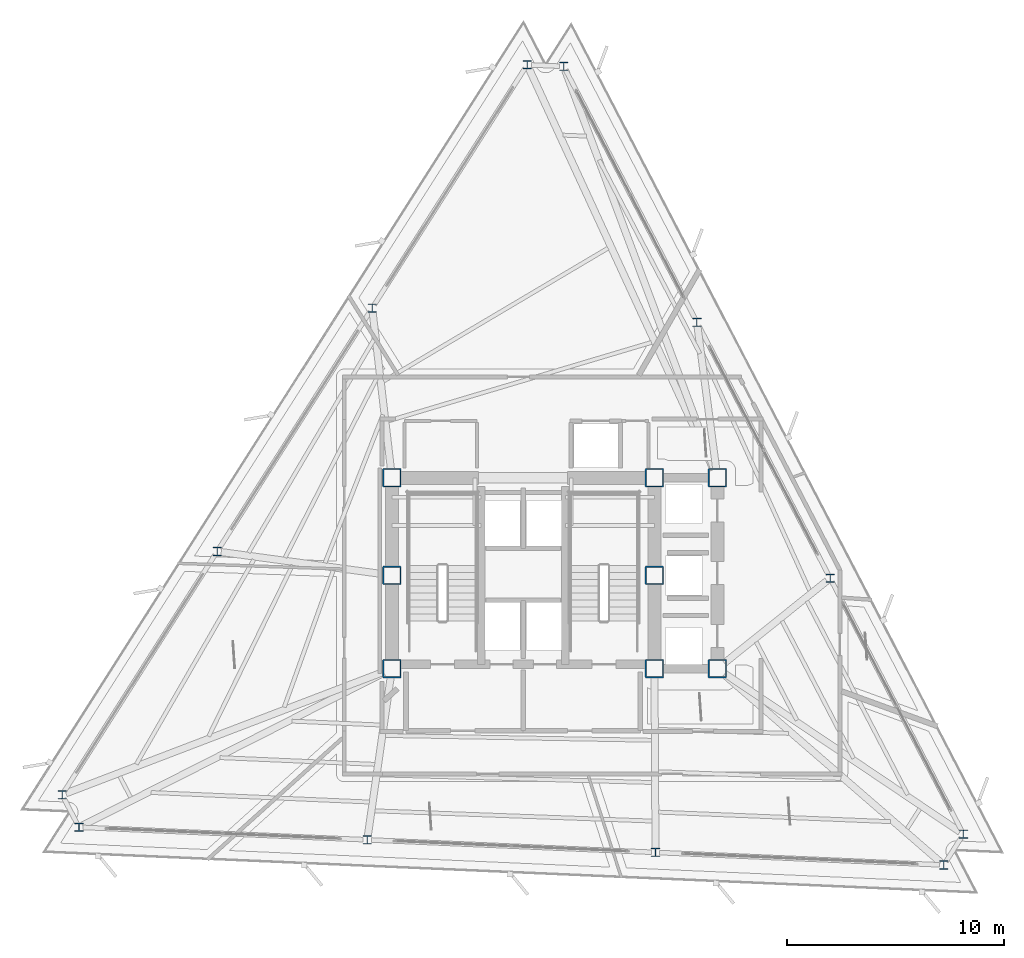
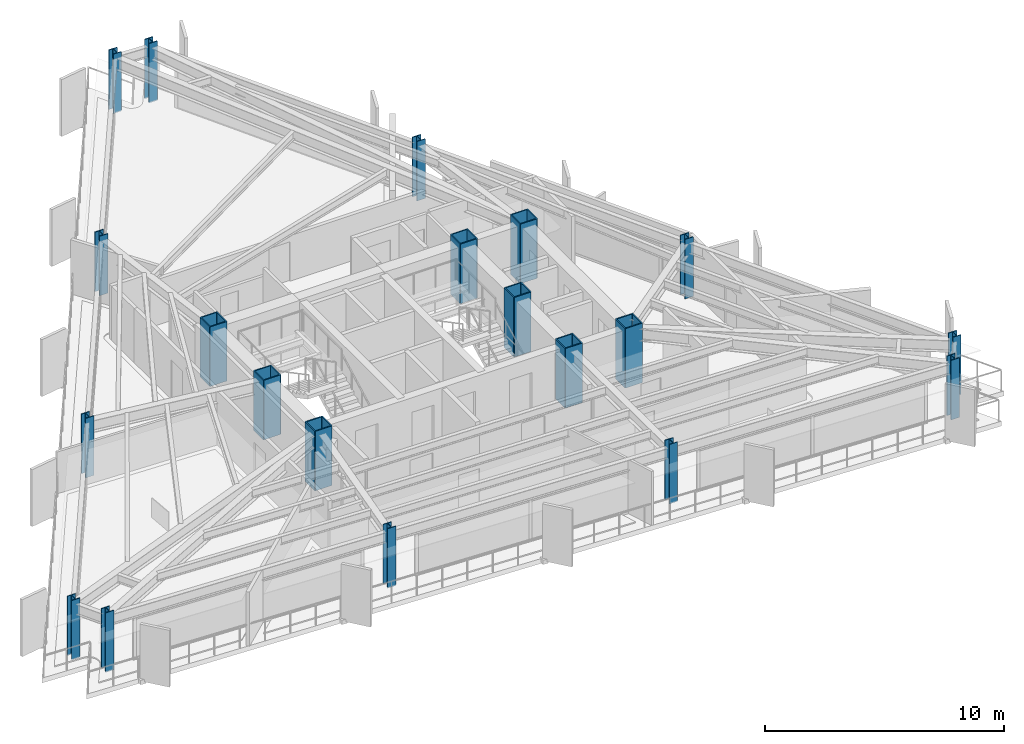
# One storey, part 1 of 12: 20 columns.
"""IFC4 building model written with IfcOpenShell, lengths in metres."""

from ifc_helpers import new_model, si_unit, direction, frame, origin, origin_2d, place, context, subcontext, project, spatial, hollow_rectangle, i_section, extrude, material, material_profile, profile_set, type_object, element, save


model = new_model("IFC4")

# Units and contexts
model_context = context("Model", 3, precision=1e-05, world=origin(), true_north=direction((0.0, 1.0)))
body_context = subcontext(model_context, "Body", "Model", "MODEL_VIEW")
ifc_project = project(units=[si_unit("LENGTHUNIT", "METRE"), si_unit("AREAUNIT", "SQUARE_METRE"), si_unit("VOLUMEUNIT", "CUBIC_METRE"), si_unit("PLANEANGLEUNIT", "RADIAN"), si_unit("MASSUNIT", "GRAM", prefix="KILO")], contexts=[model_context])

# Site, building, storey
site_placement = place(None, origin())
site = spatial("IfcSite", under=ifc_project, at=site_placement, CompositionType="ELEMENT")
building_placement = place(site_placement, origin())
building = spatial("IfcBuilding", under=site, at=building_placement, Name="Rocaltana Carrier Exchange", CompositionType="ELEMENT")
storey_placement = place(building_placement, frame((0.0, 0.0, 138.080078125)))
storey = spatial("IfcBuildingStorey", under=building, at=storey_placement, Name="L43", CompositionType="ELEMENT", Elevation=138.080078125)

# Columns
ifc_material_1 = material(Name="Steel S460", Category="steel")
ifc_material_profile_1 = material_profile(ifc_material_1, hollow_rectangle(XDim=0.85009765625, YDim=0.85009765625, WallThickness=0.054931640625, InnerFilletRadius=0.02001953125, OuterFilletRadius=0.0400390625, at=origin_2d()), Name="BOX850X850X55")
ifc_profile_set_1 = profile_set([ifc_material_profile_1], Name="Steel S460")
column_type_1 = type_object("IfcColumnType", Name="Core Mega-Column BOX850", PredefinedType="COLUMN", material=ifc_profile_set_1)
for number, where, z_axis, x_axis, name in (
    (1, (-6.050048828125, 4.5, 0.0), (0.0, 0.0, 1.0), (1.0, 0.0, 0.0), "L43 Core Mega-Column MC1"),
    (2, (6.050048828125, 4.5, 0.0), (0.0, 0.0, 1.0), (1.0, 0.0, 0.0), "L43 Core Mega-Column MC2"),
    (3, (-6.050048828125, 0.0, 0.0), (0.0, 0.0, 1.0), (1.0, 0.0, 0.0), "L43 Core Mega-Column MC3"),
    (4, (6.050048828125, 0.0, 0.0), (0.0, 0.0, 1.0), (1.0, 0.0, 0.0), "L43 Core Mega-Column MC4"),
    (5, (-6.050048828125, -4.300048828125, 0.0), (0.0, 0.0, 1.0), (1.0, 0.0, 0.0), "L43 Core Mega-Column MC5"),
    (6, (6.050048828125, -4.300048828125, 0.0), (0.0, 0.0, 1.0), (1.0, 0.0, 0.0), "L43 Core Mega-Column MC6"),
    (7, (8.949951171875, 4.5, 0.0), (0.0, 0.0, 1.0), (1.0, 0.0, 0.0), "L43 East Core Column EC1"),
    (8, (8.949951171875, -4.300048828125, 0.0), (0.0, 0.0, 1.0), (1.0, 0.0, 0.0), "L43 East Core Column EC2"),
):
    element("IfcColumn", number, at=place(storey_placement, frame(where, z_axis=z_axis, x_axis=x_axis)), inside=storey, type_object=column_type_1, Name=name, PredefinedType="COLUMN", context=body_context, shape_type="SweptSolid", body=[
        extrude(hollow_rectangle(XDim=0.85009765625, YDim=0.85009765625, WallThickness=0.054931640625, InnerFilletRadius=0.02001953125, OuterFilletRadius=0.0400390625, at=origin_2d()), origin(), (0.0, 0.0, 1.0), 3.0400390625),
    ])
ifc_material_2 = material(Name="Steel S355", Category="steel")
ifc_material_profile_2 = material_profile(ifc_material_2, i_section(OverallWidth=0.40087890625, OverallDepth=0.39892578125, WebThickness=0.02490234375, FlangeThickness=0.03955078125, FilletRadius=0.01806640625, at=origin_2d()), Name="W14X211")
ifc_profile_set_2 = profile_set([ifc_material_profile_2], Name="Steel S355")
column_type_2 = type_object("IfcColumnType", Name="Perimeter Column W14X211", PredefinedType="COLUMN", material=ifc_profile_set_2)
for number, where, z_axis, x_axis, name in (
    (9, (20.29150390625, -11.92822265625, 0.0), (0.0, 0.0, 1.0), (1.0, 0.0, 0.0), "L43 Perimeter Column TC01"),
    (10, (14.150146484375, -0.130859375, 0.0), (0.0, 0.0, 1.0), (1.0, 0.0, 0.0), "L43 Perimeter Column TC02"),
    (11, (8.009033203125, 11.666259765625, 0.0), (0.0, 0.0, 1.0), (1.0, 0.0, 0.0), "L43 Perimeter Column TC03"),
    (12, (1.86767578125, 23.46337890625, 0.0), (0.0, 0.0, 1.0), (1.0, 0.0, 0.0), "L43 Perimeter Column TC04"),
    (13, (0.184326171875, 23.537109375, 0.0), (0.0, 0.0, 1.0), (1.0, 0.0, 0.0), "L43 Perimeter Column TC05"),
    (14, (-6.961669921875, 12.31982421875, 0.0), (0.0, 0.0, 1.0), (1.0, 0.0, 0.0), "L43 Perimeter Column TC06"),
    (15, (-14.10791015625, 1.102783203125, 0.0), (0.0, 0.0, 1.0), (1.0, 0.0, 0.0), "L43 Perimeter Column TC07"),
    (16, (-21.25390625, -10.1142578125, 0.0), (0.0, 0.0, 1.0), (1.0, 0.0, 0.0), "L43 Perimeter Column TC08"),
    (17, (-20.475830078125, -11.60888671875, 0.0), (0.0, 0.0, 1.0), (1.0, 0.0, 0.0), "L43 Perimeter Column TC09"),
    (18, (-7.1884765625, -12.18896484375, 0.0), (0.0, 0.0, 1.0), (1.0, 0.0, 0.0), "L43 Perimeter Column TC10"),
    (19, (6.098876953125, -12.76904296875, 0.0), (0.0, 0.0, 1.0), (1.0, 0.0, 0.0), "L43 Perimeter Column TC11"),
    (20, (19.38623046875, -13.349365234375, 0.0), (0.0, 0.0, 1.0), (1.0, 0.0, 0.0), "L43 Perimeter Column TC12"),
):
    element("IfcColumn", number, at=place(storey_placement, frame(where, z_axis=z_axis, x_axis=x_axis)), inside=storey, type_object=column_type_2, Name=name, PredefinedType="COLUMN", context=body_context, shape_type="SweptSolid", body=[
        extrude(i_section(OverallWidth=0.40087890625, OverallDepth=0.39892578125, WebThickness=0.02490234375, FlangeThickness=0.03955078125, FilletRadius=0.01806640625, at=origin_2d()), origin(), (0.0, 0.0, 1.0), 3.0400390625),
    ])

save(model, "model.ifc")
